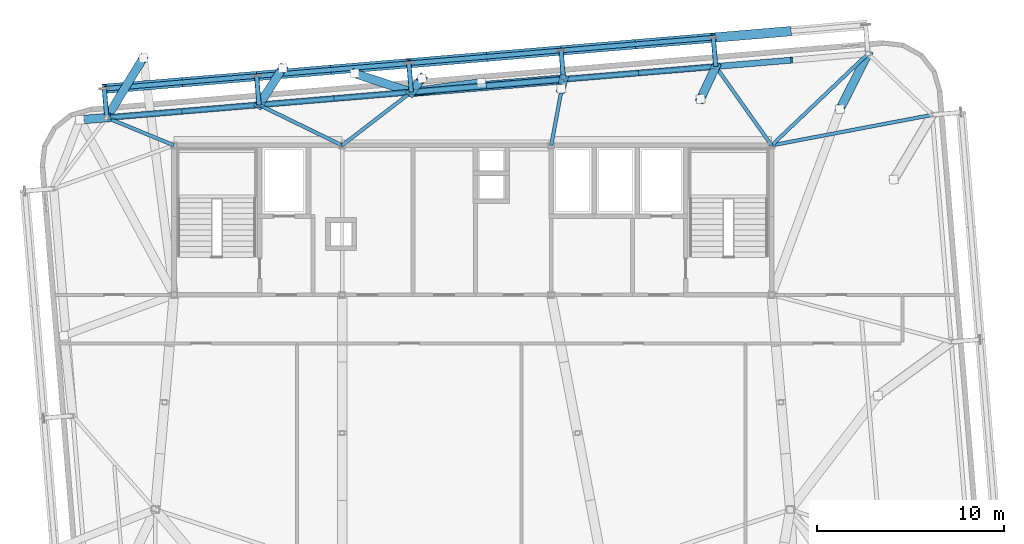
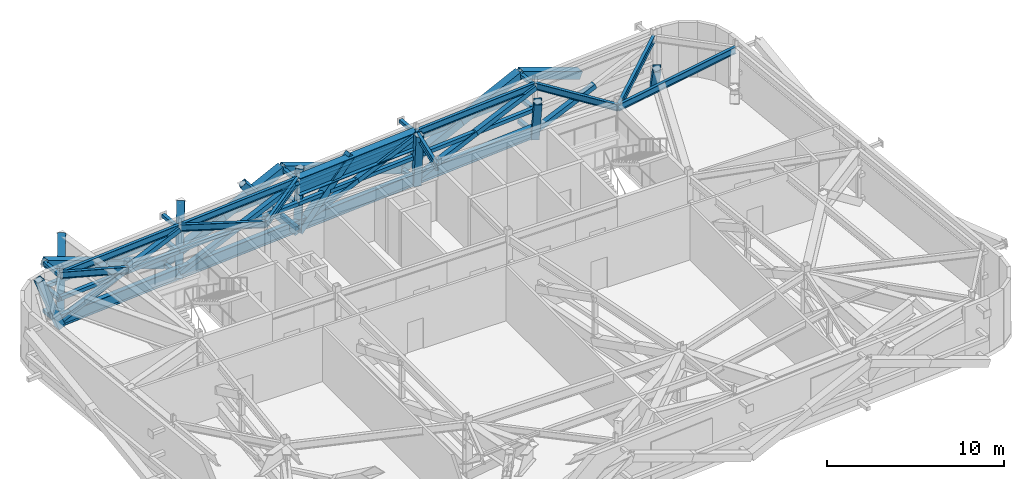
# One storey, part 13 of 26: 54 members, 11 beams.
"""IFC4 building model written with IfcOpenShell, lengths in metres."""

from ifc_helpers import new_model, si_unit, direction, frame, origin, origin_2d, place, context, subcontext, project, spatial, hollow_rectangle, i_section, extrude, source, transform, mapped, material, material_profile, profile_set, type_object, element, save


model = new_model("IFC4")

# Units and contexts
model_context = context("Model", 3, precision=1e-05, world=origin(), true_north=direction((0.0, 1.0)))
body_context = subcontext(model_context, "Body", "Model", "MODEL_VIEW")
ifc_project = project(units=[si_unit("LENGTHUNIT", "METRE"), si_unit("AREAUNIT", "SQUARE_METRE"), si_unit("VOLUMEUNIT", "CUBIC_METRE"), si_unit("PLANEANGLEUNIT", "RADIAN"), si_unit("MASSUNIT", "GRAM", prefix="KILO")], contexts=[model_context])

# Site, building, storey
site_placement = place(None, origin())
site = spatial("IfcSite", under=ifc_project, at=site_placement, CompositionType="ELEMENT")
building_placement = place(site_placement, origin())
building = spatial("IfcBuilding", under=site, at=building_placement, Name="Taldren Reach Tower", CompositionType="ELEMENT")
storey_placement = place(building_placement, frame((0.0, 0.0, 207.199951171875)))
storey = spatial("IfcBuildingStorey", under=building, at=storey_placement, Name="L63", CompositionType="ELEMENT", Elevation=207.199951171875)

# Members
ifc_material_1 = material(Name="Steel Gr 350 (C350L0)", Category="steel")
ifc_material_profile_1 = material_profile(ifc_material_1, hollow_rectangle(XDim=0.25, YDim=0.25, WallThickness=0.010009765625, at=origin_2d()), Name="250x250x10.0SHS")
ifc_profile_set_1 = profile_set([ifc_material_profile_1], Name="Steel Gr 350 (C350L0)")
member_type_1 = type_object("IfcMemberType", Name="MB-POST250", PredefinedType="POST", material=ifc_profile_set_1)
shared_shape_1 = source(origin(), body_context, "Body", "SweptSolid", [
    extrude(hollow_rectangle(XDim=0.25, YDim=0.25, WallThickness=0.010009765625, at=origin_2d()), origin(), (0.0, 0.0, 1.0), 1.5498046875),
])
for number, where, z_axis, x_axis, name in (
    (1, (15.40380859375, 33.483642578125, 0.219970703125), (-0.083645141657, 0.996495604746, 0.0), (-0.996495604746, -0.083645141657, 0.0), "Exoskeleton base diaphragm tie strut B4-N1 L63"),
    (2, (31.706298828125, 34.8525390625, 0.219970703125), (-0.083645141657, 0.996495604746, 0.0), (-0.996495604746, -0.083645141657, 0.0), "Exoskeleton base diaphragm tie strut B4-N3 L63"),
    (3, (39.857666015625, 35.537109375, 0.219970703125), (-0.083645141657, 0.996495604746, 0.0), (-0.996495604746, -0.083645141657, 0.0), "Exoskeleton base diaphragm tie strut B4-N4 L63"),
    (4, (15.40380859375, 33.483642578125, 1.860107421875), (-0.083645141657, 0.996495604746, 0.0), (-0.996495604746, -0.083645141657, 0.0), "Exoskeleton mid-tier diaphragm tie B4-N1 L63"),
    (5, (31.706298828125, 34.8525390625, 1.860107421875), (-0.083645141657, 0.996495604746, 0.0), (-0.996495604746, -0.083645141657, 0.0), "Exoskeleton mid-tier diaphragm tie B4-N3 L63"),
    (6, (39.857666015625, 35.537109375, 1.860107421875), (-0.083645141657, 0.996495604746, 0.0), (-0.996495604746, -0.083645141657, 0.0), "Exoskeleton mid-tier diaphragm tie B4-N4 L63"),
):
    element("IfcMember", number, at=place(storey_placement, frame(where, z_axis=z_axis, x_axis=x_axis)), inside=storey, type_object=member_type_1, Name=name, PredefinedType="POST", context=body_context, shape_type="MappedRepresentation", body=[
        mapped(shared_shape_1, transform((0.0, 0.0, 0.0), scale=1.0)),
    ])
shared_shape_2 = source(origin(), body_context, "Body", "SweptSolid", [
    extrude(hollow_rectangle(XDim=0.25, YDim=0.25, WallThickness=0.010009765625, at=origin_2d()), origin(), (0.0, 0.0, 1.0), 1.550048828125),
])
for number, where, z_axis, x_axis, name in (
    (7, (23.55517578125, 34.16796875, 0.219970703125), (-0.083788408178, 0.996483568683, 0.0), (-0.996483568683, -0.083788408178, 0.0), "Exoskeleton base diaphragm tie strut B4-N2 L63"),
    (8, (48.009033203125, 36.221435546875, 0.219970703125), (-0.083632013783, 0.996496706603, 0.0), (-0.996496706603, -0.083632013783, 0.0), "Exoskeleton base diaphragm tie strut B4-N5 L63"),
    (9, (23.55517578125, 34.16796875, 1.860107421875), (-0.083788408178, 0.996483568683, 0.0), (-0.996483568683, -0.083788408178, 0.0), "Exoskeleton mid-tier diaphragm tie B4-N2 L63"),
    (10, (48.009033203125, 36.221435546875, 1.860107421875), (-0.083632013783, 0.996496706603, 0.0), (-0.996496706603, -0.083632013783, 0.0), "Exoskeleton mid-tier diaphragm tie B4-N5 L63"),
):
    element("IfcMember", number, at=place(storey_placement, frame(where, z_axis=z_axis, x_axis=x_axis)), inside=storey, type_object=member_type_1, Name=name, PredefinedType="POST", context=body_context, shape_type="MappedRepresentation", body=[
        mapped(shared_shape_2, transform((0.0, 0.0, 0.0), scale=1.0)),
    ])

# Beams
ifc_material_2 = material(Name="Steel Gr 350 (350PLUS)", Category="steel")
ifc_material_profile_2 = material_profile(ifc_material_2, i_section(OverallWidth=0.18994140625, OverallDepth=0.4541015625, WebThickness=0.008544921875, FlangeThickness=0.0126953125, at=origin_2d()), Name="460UB67.1")
ifc_profile_set_2 = profile_set([ifc_material_profile_2], Name="Steel Gr 350 (350PLUS)")
beam_type_1 = type_object("IfcBeamType", Name="SP-UB460B", PredefinedType="SPANDREL", material=ifc_profile_set_2)
shared_shape_3 = source(origin(), body_context, "Body", "SweptSolid", [
    extrude(i_section(OverallWidth=0.18994140625, OverallDepth=0.4541015625, WebThickness=0.008544921875, FlangeThickness=0.0126953125, at=origin_2d()), origin(), (0.0, 0.0, 1.0), 8.179931640625),
])
for number, where, z_axis, x_axis, name in (
    (11, (48.009033203125, 36.221435546875, 3.552978515625), (-0.996494523218, -0.083658025296, 0.0), (0.083658025296, -0.996494523218, 0.0), "Perimeter spandrel B4 N5-N4 L63"),
    (12, (31.706298828125, 34.8525390625, 3.552978515625), (-0.99649182565, -0.08369015123, 0.0), (0.08369015123, -0.99649182565, 0.0), "Perimeter spandrel B4 N3-N2 L63"),
    (13, (23.55517578125, 34.16796875, 3.552978515625), (-0.996494523218, -0.083658025296, 0.0), (0.083658025296, -0.996494523218, 0.0), "Perimeter spandrel B4 N2-N1 L63"),
):
    element("IfcBeam", number, at=place(storey_placement, frame(where, z_axis=z_axis, x_axis=x_axis)), inside=storey, type_object=beam_type_1, Name=name, PredefinedType="SPANDREL", context=body_context, shape_type="MappedRepresentation", body=[
        mapped(shared_shape_3, transform((0.0, 0.0, 0.0), scale=1.0)),
    ])
ifc_material_profile_3 = material_profile(ifc_material_2, i_section(OverallWidth=0.19091796875, OverallDepth=0.4599609375, WebThickness=0.010009765625, FlangeThickness=0.01611328125, at=origin_2d()), Name="460UB82.1")
ifc_profile_set_3 = profile_set([ifc_material_profile_3], Name="Steel Gr 350 (350PLUS)")
beam_type_2 = type_object("IfcBeamType", Name="BM-UB460A", PredefinedType="BEAM", material=ifc_profile_set_3)
shared_shape_4 = source(origin(), body_context, "Body", "SweptSolid", [
    extrude(i_section(OverallWidth=0.19091796875, OverallDepth=0.4599609375, WebThickness=0.010009765625, FlangeThickness=0.01611328125, at=origin_2d()), origin(), (0.0, 0.0, 1.0), 8.75),
])
beam_1_placement = place(storey_placement, frame((51.0, 32.0, 3.550048828125), z_axis=(0.982450485799, 0.18652357211, 0.0), x_axis=(-0.18652357211, 0.982450485799, 0.0)))
element("IfcBeam", 14, at=beam_1_placement, inside=storey, type_object=beam_type_2, Name="Primary floor girder B4-E3 L63", PredefinedType="BEAM", context=body_context, shape_type="MappedRepresentation", body=[
    mapped(shared_shape_4, transform((0.0, 0.0, 0.0), scale=1.0)),
])
shared_shape_5 = source(origin(), body_context, "Body", "SweptSolid", [
    extrude(i_section(OverallWidth=0.19091796875, OverallDepth=0.4599609375, WebThickness=0.010009765625, FlangeThickness=0.01611328125, at=origin_2d()), origin(), (0.0, 0.0, 1.0), 7.120361328125),
])
beam_2_placement = place(storey_placement, frame((51.0, 32.0, 3.550048828125), z_axis=(0.724745130454, 0.689017050503, 0.0), x_axis=(-0.689017050503, 0.724745130454, 0.0)))
element("IfcBeam", 15, at=beam_2_placement, inside=storey, type_object=beam_type_2, Name="Primary floor girder B4-N6 L63", PredefinedType="BEAM", context=body_context, shape_type="MappedRepresentation", body=[
    mapped(shared_shape_5, transform((0.0, 0.0, 0.0), scale=1.0)),
])
shared_shape_6 = source(origin(), body_context, "Body", "SweptSolid", [
    extrude(i_section(OverallWidth=0.19091796875, OverallDepth=0.4599609375, WebThickness=0.010009765625, FlangeThickness=0.01611328125, at=origin_2d()), origin(), (0.0, 0.0, 1.0), 5.173583984375),
])
beam_3_placement = place(storey_placement, frame((51.0, 32.0, 3.550048828125), z_axis=(-0.578118152709, 0.8159530633, 0.0), x_axis=(-0.8159530633, -0.578118152709, 0.0)))
element("IfcBeam", 16, at=beam_3_placement, inside=storey, type_object=beam_type_2, Name="Primary floor girder B4-N5 L63", PredefinedType="BEAM", context=body_context, shape_type="MappedRepresentation", body=[
    mapped(shared_shape_6, transform((0.0, 0.0, 0.0), scale=1.0)),
])
shared_shape_7 = source(origin(), body_context, "Body", "SweptSolid", [
    extrude(i_section(OverallWidth=0.19091796875, OverallDepth=0.4599609375, WebThickness=0.010009765625, FlangeThickness=0.01611328125, at=origin_2d()), origin(), (0.0, 0.0, 1.0), 3.59765625),
])
beam_4_placement = place(storey_placement, frame((39.199951171875, 32.0, 3.550048828125), z_axis=(0.182813344882, 0.983147639438, 0.0), x_axis=(-0.983147639438, 0.182813344882, 0.0)))
element("IfcBeam", 17, at=beam_4_placement, inside=storey, type_object=beam_type_2, Name="Primary floor girder B4-N4 L63", PredefinedType="BEAM", context=body_context, shape_type="MappedRepresentation", body=[
    mapped(shared_shape_7, transform((0.0, 0.0, 0.0), scale=1.0)),
])
shared_shape_8 = source(origin(), body_context, "Body", "SweptSolid", [
    extrude(i_section(OverallWidth=0.19091796875, OverallDepth=0.4599609375, WebThickness=0.010009765625, FlangeThickness=0.01611328125, at=origin_2d()), origin(), (0.0, 0.0, 1.0), 4.677001953125),
])
beam_5_placement = place(storey_placement, frame((28.0, 32.0, 3.550048828125), z_axis=(0.792464836093, 0.609917603907, 0.0), x_axis=(-0.609917603907, 0.792464836093, 0.0)))
element("IfcBeam", 18, at=beam_5_placement, inside=storey, type_object=beam_type_2, Name="Primary floor girder B4-N3 L63", PredefinedType="BEAM", context=body_context, shape_type="MappedRepresentation", body=[
    mapped(shared_shape_8, transform((0.0, 0.0, 0.0), scale=1.0)),
])
shared_shape_9 = source(origin(), body_context, "Body", "SweptSolid", [
    extrude(i_section(OverallWidth=0.19091796875, OverallDepth=0.4599609375, WebThickness=0.010009765625, FlangeThickness=0.01611328125, at=origin_2d()), origin(), (0.0, 0.0, 1.0), 4.9453125),
])
beam_6_placement = place(storey_placement, frame((28.0, 32.0, 3.550048828125), z_axis=(-0.898787423235, 0.438384725823, 0.0), x_axis=(-0.438384725823, -0.898787423235, 0.0)))
element("IfcBeam", 19, at=beam_6_placement, inside=storey, type_object=beam_type_2, Name="Primary floor girder B4-N2 L63", PredefinedType="BEAM", context=body_context, shape_type="MappedRepresentation", body=[
    mapped(shared_shape_9, transform((0.0, 0.0, 0.0), scale=1.0)),
])
shared_shape_10 = source(origin(), body_context, "Body", "SweptSolid", [
    extrude(i_section(OverallWidth=0.19091796875, OverallDepth=0.4599609375, WebThickness=0.010009765625, FlangeThickness=0.01611328125, at=origin_2d()), origin(), (0.0, 0.0, 1.0), 3.89013671875),
])
beam_7_placement = place(storey_placement, frame((19.0, 32.0, 3.550048828125), z_axis=(-0.924419242179, 0.381377850287, 0.0), x_axis=(-0.381377850287, -0.924419242179, 0.0)))
element("IfcBeam", 20, at=beam_7_placement, inside=storey, type_object=beam_type_2, Name="Primary floor girder B4-N1 L63", PredefinedType="BEAM", context=body_context, shape_type="MappedRepresentation", body=[
    mapped(shared_shape_10, transform((0.0, 0.0, 0.0), scale=1.0)),
])

# Members
ifc_material_3 = material(Name="Steel Gr 450 (C450L0)", Category="steel")
ifc_material_profile_4 = material_profile(ifc_material_3, hollow_rectangle(XDim=0.219970703125, YDim=0.219970703125, WallThickness=0.00830078125, at=origin_2d()), Name="220x220x8.2SHS")
ifc_profile_set_4 = profile_set([ifc_material_profile_4], Name="Steel Gr 450 (C450L0)")
member_type_2 = type_object("IfcMemberType", Name="MB-TIE219", PredefinedType="STRUT", material=ifc_profile_set_4)
shared_shape_11 = source(origin(), body_context, "Body", "SweptSolid", [
    extrude(hollow_rectangle(XDim=0.219970703125, YDim=0.219970703125, WallThickness=0.00830078125, at=origin_2d()), origin(), (0.0, 0.0, 1.0), 1.5498046875),
])
for number, where, z_axis, x_axis, name in (
    (21, (15.40380859375, 33.483642578125, 3.5), (-0.083645141657, 0.996495604746, 0.0), (-0.996495604746, -0.083645141657, 0.0), "Exoskeleton diaphragm tie strut B4-N1 L63"),
    (22, (31.706298828125, 34.8525390625, 3.5), (-0.083645141657, 0.996495604746, 0.0), (-0.996495604746, -0.083645141657, 0.0), "Exoskeleton diaphragm tie strut B4-N3 L63"),
    (23, (39.857666015625, 35.537109375, 3.5), (-0.083645141657, 0.996495604746, 0.0), (-0.996495604746, -0.083645141657, 0.0), "Exoskeleton diaphragm tie strut B4-N4 L63"),
):
    element("IfcMember", number, at=place(storey_placement, frame(where, z_axis=z_axis, x_axis=x_axis)), inside=storey, type_object=member_type_2, Name=name, PredefinedType="STRUT", context=body_context, shape_type="MappedRepresentation", body=[
        mapped(shared_shape_11, transform((0.0, 0.0, 0.0), scale=1.0)),
    ])
shared_shape_12 = source(origin(), body_context, "Body", "SweptSolid", [
    extrude(hollow_rectangle(XDim=0.219970703125, YDim=0.219970703125, WallThickness=0.00830078125, at=origin_2d()), origin(), (0.0, 0.0, 1.0), 1.550048828125),
])
for number, where, z_axis, x_axis, name in (
    (24, (23.55517578125, 34.16796875, 3.5), (-0.083788408178, 0.996483568683, 0.0), (-0.996483568683, -0.083788408178, 0.0), "Exoskeleton diaphragm tie strut B4-N2 L63"),
    (25, (48.009033203125, 36.221435546875, 3.5), (-0.083632013783, 0.996496706603, 0.0), (-0.996496706603, -0.083632013783, 0.0), "Exoskeleton diaphragm tie strut B4-N5 L63"),
):
    element("IfcMember", number, at=place(storey_placement, frame(where, z_axis=z_axis, x_axis=x_axis)), inside=storey, type_object=member_type_2, Name=name, PredefinedType="STRUT", context=body_context, shape_type="MappedRepresentation", body=[
        mapped(shared_shape_12, transform((0.0, 0.0, 0.0), scale=1.0)),
    ])
shared_shape_13 = source(origin(), body_context, "Body", "SweptSolid", [
    extrude(hollow_rectangle(XDim=0.25, YDim=0.25, WallThickness=0.010009765625, at=origin_2d()), origin(), (0.0, 0.0, 1.0), 8.18017578125),
])
for number, where, z_axis, x_axis, name in (
    (26, (31.706298828125, 34.8525390625, 1.955078125), (0.996492034688, 0.083687662192, 0.0), (-0.083687662192, 0.996492034688, 0.0), "Belt Truss Transfer Mid Chord N3 L63"),
    (27, (31.57666015625, 36.39697265625, 1.860107421875), (0.996492034688, 0.083687662192, 0.0), (-0.083687662192, 0.996492034688, 0.0), "Exoskeleton mid-height ring chord B4-N3 L63"),
    (28, (39.72802734375, 37.08154296875, 1.860107421875), (0.996492034688, 0.083687662192, 0.0), (-0.083687662192, 0.996492034688, 0.0), "Exoskeleton mid-height ring chord B4-N4 L63"),
):
    element("IfcMember", number, at=place(storey_placement, frame(where, z_axis=z_axis, x_axis=x_axis)), inside=storey, type_object=member_type_1, Name=name, PredefinedType="POST", context=body_context, shape_type="MappedRepresentation", body=[
        mapped(shared_shape_13, transform((0.0, 0.0, 0.0), scale=1.0)),
    ])
shared_shape_14 = source(origin(), body_context, "Body", "SweptSolid", [
    extrude(hollow_rectangle(XDim=0.25, YDim=0.25, WallThickness=0.010009765625, at=origin_2d()), origin(), (0.0, 0.0, 1.0), 8.179931640625),
])
for number, where, z_axis, x_axis, name in (
    (29, (15.40380859375, 33.483642578125, 1.955078125), (0.996494523218, 0.083658025296, 0.0), (-0.083658025296, 0.996494523218, 0.0), "Belt Truss Transfer Mid Chord N1 L63"),
    (30, (23.55517578125, 34.16796875, 1.955078125), (0.99649182565, 0.08369015123, 0.0), (-0.08369015123, 0.99649182565, 0.0), "Belt Truss Transfer Mid Chord N2 L63"),
    (31, (39.857666015625, 35.537109375, 1.955078125), (0.996494523218, 0.083658025296, 0.0), (-0.083658025296, 0.996494523218, 0.0), "Belt Truss Transfer Mid Chord N4 L63"),
    (32, (15.274169921875, 35.028076171875, 1.860107421875), (0.99649182565, 0.08369015123, 0.0), (-0.08369015123, 0.99649182565, 0.0), "Exoskeleton mid-height ring chord B4-N1 L63"),
    (33, (23.42529296875, 35.712646484375, 1.860107421875), (0.996494523218, 0.083658025296, 0.0), (-0.083658025296, 0.996494523218, 0.0), "Exoskeleton mid-height ring chord B4-N2 L63"),
):
    element("IfcMember", number, at=place(storey_placement, frame(where, z_axis=z_axis, x_axis=x_axis)), inside=storey, type_object=member_type_1, Name=name, PredefinedType="POST", context=body_context, shape_type="MappedRepresentation", body=[
        mapped(shared_shape_14, transform((0.0, 0.0, 0.0), scale=1.0)),
    ])

# Beam
ifc_material_profile_5 = material_profile(ifc_material_2, i_section(OverallWidth=0.5, OverallDepth=1.199951171875, WebThickness=0.01611328125, FlangeThickness=0.0400390625, at=origin_2d()), Name="1200WB455")
ifc_profile_set_5 = profile_set([ifc_material_profile_5], Name="Steel Gr 350 (350PLUS)")
beam_type_3 = type_object("IfcBeamType", Name="BM-WB1200", PredefinedType="BEAM", material=ifc_profile_set_5)
shared_shape_15 = source(origin(), body_context, "Body", "SweptSolid", [
    extrude(i_section(OverallWidth=0.5, OverallDepth=1.199951171875, WebThickness=0.01611328125, FlangeThickness=0.0400390625, at=origin_2d()), origin(), (0.0, 0.0, 1.0), 8.18017578125),
])
beam_8_placement = place(storey_placement, frame((39.857666015625, 35.537109375, 3.179931640625), z_axis=(-0.996492034688, -0.083687662192, 0.0), x_axis=(0.083687662192, -0.996492034688, 0.0)))
element("IfcBeam", 34, at=beam_8_placement, inside=storey, type_object=beam_type_3, Name="Belt Truss Transfer Girder TG-B5-PJN2A on L63", PredefinedType="SPANDREL", context=body_context, shape_type="MappedRepresentation", body=[
    mapped(shared_shape_15, transform((0.0, 0.0, 0.0), scale=1.0)),
])

# Members
ifc_material_profile_6 = material_profile(ifc_material_3, hollow_rectangle(XDim=0.4599609375, YDim=0.4599609375, WallThickness=0.01611328125, at=origin_2d()), Name="460x460x16.0SHS")
ifc_profile_set_6 = profile_set([ifc_material_profile_6], Name="Steel Gr 450 (C450L0)")
member_type_3 = type_object("IfcMemberType", Name="MB-EXO457", PredefinedType="BRACE", material=ifc_profile_set_6)
shared_shape_16 = source(origin(), body_context, "Body", "SweptSolid", [
    extrude(hollow_rectangle(XDim=0.4599609375, YDim=0.4599609375, WallThickness=0.01611328125, at=origin_2d()), origin(), (0.0, 0.0, 1.0), 5.307861328125),
])
member_1_placement = place(storey_placement, frame((15.40380859375, 33.483642578125, 0.02001953125), z_axis=(0.368517341482, 0.60199138359, 0.708379377954), x_axis=(-0.852882098627, 0.522103558542, 0.0)))
element("IfcMember", 35, at=member_1_placement, inside=storey, type_object=member_type_3, Name="Outrigger Belt Truss Transfer Strut TS-B5-N1 L63", PredefinedType="BRACE", context=body_context, shape_type="MappedRepresentation", body=[
    mapped(shared_shape_16, transform((0.0, 0.0, 0.0), scale=1.0)),
])
shared_shape_17 = source(origin(), body_context, "Body", "SweptSolid", [
    extrude(hollow_rectangle(XDim=0.4599609375, YDim=0.4599609375, WallThickness=0.01611328125, at=origin_2d()), origin(), (0.0, 0.0, 1.0), 4.426025390625),
])
member_2_placement = place(storey_placement, frame((23.55517578125, 34.16796875, 0.02001953125), z_axis=(0.285670590876, 0.443536825881, 0.849510092698), x_axis=(-0.840712769733, 0.541481337451, 0.0)))
element("IfcMember", 36, at=member_2_placement, inside=storey, type_object=member_type_3, Name="Outrigger Belt Truss Transfer Strut TS-B5-N2 L63", PredefinedType="BRACE", context=body_context, shape_type="MappedRepresentation", body=[
    mapped(shared_shape_17, transform((0.0, 0.0, 0.0), scale=1.0)),
])
shared_shape_18 = source(origin(), body_context, "Body", "SweptSolid", [
    extrude(hollow_rectangle(XDim=0.4599609375, YDim=0.4599609375, WallThickness=0.01611328125, at=origin_2d()), origin(), (0.0, 0.0, 1.0), 3.873046875),
])
member_3_placement = place(storey_placement, frame((31.706298828125, 34.8525390625, 0.02001953125), z_axis=(0.148009404203, 0.188667864898, 0.970823183192), x_axis=(-0.786783329106, 0.617229287251, 0.0)))
element("IfcMember", 37, at=member_3_placement, inside=storey, type_object=member_type_3, Name="Outrigger Belt Truss Transfer Strut TS-B5-N3 L63", PredefinedType="BRACE", context=body_context, shape_type="MappedRepresentation", body=[
    mapped(shared_shape_18, transform((0.0, 0.0, 0.0), scale=1.0)),
])
shared_shape_19 = source(origin(), body_context, "Body", "SweptSolid", [
    extrude(hollow_rectangle(XDim=0.4599609375, YDim=0.4599609375, WallThickness=0.01611328125, at=origin_2d()), origin(), (0.0, 0.0, 1.0), 3.795166015625),
])
member_4_placement = place(storey_placement, frame((39.857666015625, 35.537109375, 0.02001953125), z_axis=(-0.031135345221, -0.132196558738, 0.990734404437), x_axis=(0.973367450142, -0.229250533269, 0.0)))
element("IfcMember", 38, at=member_4_placement, inside=storey, type_object=member_type_3, Name="Outrigger Belt Truss Transfer Strut TS-B5-N4 L63", PredefinedType="BRACE", context=body_context, shape_type="MappedRepresentation", body=[
    mapped(shared_shape_19, transform((0.0, 0.0, 0.0), scale=1.0)),
])
shared_shape_20 = source(origin(), body_context, "Body", "SweptSolid", [
    extrude(hollow_rectangle(XDim=0.4599609375, YDim=0.4599609375, WallThickness=0.01611328125, at=origin_2d()), origin(), (0.0, 0.0, 1.0), 4.218994140625),
])
member_5_placement = place(storey_placement, frame((48.009033203125, 36.221435546875, 0.02001953125), z_axis=(-0.191889581702, -0.410977023296, 0.891221787636), x_axis=(0.906098376521, -0.423067053864, 0.0)))
element("IfcMember", 39, at=member_5_placement, inside=storey, type_object=member_type_3, Name="Outrigger Belt Truss Transfer Strut TS-B5-N5 L63", PredefinedType="BRACE", context=body_context, shape_type="MappedRepresentation", body=[
    mapped(shared_shape_20, transform((0.0, 0.0, 0.0), scale=1.0)),
])
shared_shape_21 = source(origin(), body_context, "Body", "SweptSolid", [
    extrude(hollow_rectangle(XDim=0.4599609375, YDim=0.4599609375, WallThickness=0.01611328125, at=origin_2d()), origin(), (0.0, 0.0, 1.0), 5.01904296875),
])
member_6_placement = place(storey_placement, frame((56.160400390625, 36.906005859375, 0.02001953125), z_axis=(-0.299063461003, -0.591024894467, 0.749166617258), x_axis=(0.892272517008, -0.451497237413, 0.0)))
element("IfcMember", 40, at=member_6_placement, inside=storey, type_object=member_type_3, Name="Outrigger Belt Truss Transfer Strut TS-B5-N6 L63", PredefinedType="BRACE", context=body_context, shape_type="MappedRepresentation", body=[
    mapped(shared_shape_21, transform((0.0, 0.0, 0.0), scale=1.0)),
])
shared_shape_22 = source(origin(), body_context, "Body", "SweptSolid", [
    extrude(hollow_rectangle(XDim=0.4599609375, YDim=0.4599609375, WallThickness=0.01611328125, at=origin_2d()), origin(), (0.0, 0.0, 1.0), 4.030029296875),
])
member_7_placement = place(storey_placement, frame((15.40380859375, 33.483642578125, 0.02001953125), z_axis=(-0.358704239646, -0.02841281682, 0.933018745953), x_axis=(0.078962269364, -0.996877605334, 0.0)))
element("IfcMember", 41, at=member_7_placement, inside=storey, type_object=member_type_3, Name="Outrigger Belt Truss Transfer Strut TS-B5-W3 L63", PredefinedType="BRACE", context=body_context, shape_type="MappedRepresentation", body=[
    mapped(shared_shape_22, transform((0.0, 0.0, 0.0), scale=1.0)),
])
shared_shape_23 = source(origin(), body_context, "Body", "SweptSolid", [
    extrude(hollow_rectangle(XDim=0.4599609375, YDim=0.4599609375, WallThickness=0.01611328125, at=origin_2d()), origin(), (0.0, 0.0, 1.0), 4.9287109375),
])
member_8_placement = place(storey_placement, frame((31.706298828125, 34.8525390625, 0.02001953125), z_axis=(-0.614188467799, 0.201905975865, 0.762893506941), x_axis=(-0.312294553739, -0.949985321837, 0.0)))
element("IfcMember", 42, at=member_8_placement, inside=storey, type_object=member_type_3, Name="Outrigger Belt Truss Transfer Strut TS-B5-PJN1 L63", PredefinedType="BRACE", context=body_context, shape_type="MappedRepresentation", body=[
    mapped(shared_shape_23, transform((0.0, 0.0, 0.0), scale=1.0)),
])
shared_shape_24 = source(origin(), body_context, "Body", "SweptSolid", [
    extrude(hollow_rectangle(XDim=0.4599609375, YDim=0.4599609375, WallThickness=0.01611328125, at=origin_2d()), origin(), (0.0, 0.0, 1.0), 5.3369140625),
])
member_9_placement = place(storey_placement, frame((31.706298828125, 34.8525390625, 0.02001953125), z_axis=(0.703529675082, 0.093139112977, 0.704536089859), x_axis=(-0.131243189642, 0.991350203093, 0.0)))
element("IfcMember", 43, at=member_9_placement, inside=storey, type_object=member_type_3, Name="Outrigger Belt Truss Transfer Strut TS-B5-PJN2 L63", PredefinedType="BRACE", context=body_context, shape_type="MappedRepresentation", body=[
    mapped(shared_shape_24, transform((0.0, 0.0, 0.0), scale=1.0)),
])
ifc_material_profile_7 = material_profile(ifc_material_2, i_section(OverallWidth=0.300048828125, OverallDepth=0.81591796875, WebThickness=0.011962890625, FlangeThickness=0.02392578125, at=origin_2d()), Name="800WB192")
ifc_profile_set_7 = profile_set([ifc_material_profile_7], Name="Steel Gr 350 (350PLUS)")
member_type_4 = type_object("IfcMemberType", Name="MB-CH800", PredefinedType="CHORD", material=ifc_profile_set_7)
shared_shape_25 = source(origin(), body_context, "Body", "SweptSolid", [
    extrude(i_section(OverallWidth=0.300048828125, OverallDepth=0.81591796875, WebThickness=0.011962890625, FlangeThickness=0.02392578125, at=origin_2d()), origin(), (0.0, 0.0, 1.0), 8.18017578125),
])
member_10_placement = place(storey_placement, frame((31.706298828125, 34.8525390625, 0.449951171875), z_axis=(0.996492034688, 0.083687662192, 0.0), x_axis=(-0.083687662192, 0.996492034688, 0.0)))
element("IfcMember", 44, at=member_10_placement, inside=storey, type_object=member_type_4, Name="Belt Truss Transfer Bottom Chord N3 L63", PredefinedType="CHORD", context=body_context, shape_type="MappedRepresentation", body=[
    mapped(shared_shape_25, transform((0.0, 0.0, 0.0), scale=1.0)),
])
ifc_material_profile_8 = material_profile(ifc_material_3, hollow_rectangle(XDim=0.324951171875, YDim=0.324951171875, WallThickness=0.0126953125, at=origin_2d()), Name="325x325x12.7SHS")
ifc_profile_set_8 = profile_set([ifc_material_profile_8], Name="Steel Gr 450 (C450L0)")
member_type_5 = type_object("IfcMemberType", Name="MB-BR324", PredefinedType="BRACE", material=ifc_profile_set_8)
shared_shape_26 = source(origin(), body_context, "Body", "SweptSolid", [
    extrude(hollow_rectangle(XDim=0.324951171875, YDim=0.324951171875, WallThickness=0.0126953125, at=origin_2d()), origin(), (0.0, 0.0, 1.0), 4.358154296875),
])
for number, where, z_axis, x_axis, name in (
    (45, (15.40380859375, 33.483642578125, 0.449951171875), (0.935183560046, 0.078482818236, 0.345358011722), (-0.083628388178, 0.996497010879, 0.0), "Belt Truss Transfer Diagonal N1 L63"),
    (46, (19.4794921875, 33.82568359375, 1.955078125), (0.935197538531, 0.078540011323, 0.345307153918), (-0.083687662192, 0.996492034688, 0.0), "Belt Truss Transfer Diagonal N1 L63"),
    (47, (23.55517578125, 34.16796875, 0.449951171875), (0.935179447034, 0.078538491958, 0.34535649281), (-0.083687662192, 0.996492034688, 0.0), "Belt Truss Transfer Diagonal N2 L63"),
    (48, (31.706298828125, 34.8525390625, 0.449951171875), (0.935179447034, 0.078538491958, 0.34535649281), (-0.083687662192, 0.996492034688, 0.0), "Belt Truss Transfer Diagonal N3 L63"),
    (49, (35.781982421875, 35.19482421875, 1.955078125), (0.935197538531, 0.078540011323, 0.345307153918), (-0.083687662192, 0.996492034688, 0.0), "Belt Truss Transfer Diagonal N3 L63"),
    (50, (39.857666015625, 35.537109375, 0.449951171875), (0.935183560046, 0.078482818236, 0.345358011722), (-0.083628388178, 0.996497010879, 0.0), "Belt Truss Transfer Diagonal N4 L63"),
    (51, (43.933349609375, 35.879150390625, 1.955078125), (0.935197538531, 0.078540011323, 0.345307153918), (-0.083687662192, 0.996492034688, 0.0), "Belt Truss Transfer Diagonal N4 L63"),
    (52, (48.009033203125, 36.221435546875, 0.449951171875), (0.935179447034, 0.078538491958, 0.34535649281), (-0.083687662192, 0.996492034688, 0.0), "Belt Truss Transfer Diagonal N5 L63"),
):
    element("IfcMember", number, at=place(storey_placement, frame(where, z_axis=z_axis, x_axis=x_axis)), inside=storey, type_object=member_type_5, Name=name, PredefinedType="BRACE", context=body_context, shape_type="MappedRepresentation", body=[
        mapped(shared_shape_26, transform((0.0, 0.0, 0.0), scale=1.0)),
    ])
shared_shape_27 = source(origin(), body_context, "Body", "SweptSolid", [
    extrude(i_section(OverallWidth=0.300048828125, OverallDepth=0.81591796875, WebThickness=0.011962890625, FlangeThickness=0.02392578125, at=origin_2d()), origin(), (0.0, 0.0, 1.0), 8.179931640625),
])
for number, where, z_axis, x_axis, name in (
    (53, (15.40380859375, 33.483642578125, 0.449951171875), (0.996494523218, 0.083658025296, 0.0), (-0.083658025296, 0.996494523218, 0.0), "Belt Truss Transfer Bottom Chord N1 L63"),
    (54, (23.55517578125, 34.16796875, 0.449951171875), (0.99649182565, 0.08369015123, 0.0), (-0.08369015123, 0.99649182565, 0.0), "Belt Truss Transfer Bottom Chord N2 L63"),
    (55, (39.857666015625, 35.537109375, 0.449951171875), (0.996494523218, 0.083658025296, 0.0), (-0.083658025296, 0.996494523218, 0.0), "Belt Truss Transfer Bottom Chord N4 L63"),
):
    element("IfcMember", number, at=place(storey_placement, frame(where, z_axis=z_axis, x_axis=x_axis)), inside=storey, type_object=member_type_4, Name=name, PredefinedType="CHORD", context=body_context, shape_type="MappedRepresentation", body=[
        mapped(shared_shape_27, transform((0.0, 0.0, 0.0), scale=1.0)),
    ])
shared_shape_28 = source(origin(), body_context, "Body", "SweptSolid", [
    extrude(hollow_rectangle(XDim=0.324951171875, YDim=0.324951171875, WallThickness=0.0126953125, at=origin_2d()), origin(), (0.0, 0.0, 1.0), 4.35791015625),
])
member_11_placement = place(storey_placement, frame((27.630859375, 34.51025390625, 1.955078125), z_axis=(0.935190512762, 0.078544126214, 0.345325245352), x_axis=(-0.083692640416, 0.996491616593, 0.0)))
element("IfcMember", 56, at=member_11_placement, inside=storey, type_object=member_type_5, Name="Belt Truss Transfer Diagonal N2 L63", PredefinedType="BRACE", context=body_context, shape_type="MappedRepresentation", body=[
    mapped(shared_shape_28, transform((0.0, 0.0, 0.0), scale=1.0)),
])
ifc_material_profile_9 = material_profile(ifc_material_3, hollow_rectangle(XDim=0.510009765625, YDim=0.510009765625, WallThickness=0.02001953125, at=origin_2d()), Name="510x510x20.0SHS")
ifc_profile_set_9 = profile_set([ifc_material_profile_9], Name="Steel Gr 450 (C450L0)")
member_type_6 = type_object("IfcMemberType", Name="MB-EXO508", PredefinedType="BRACE", material=ifc_profile_set_9)
shared_shape_29 = source(origin(), body_context, "Body", "SweptSolid", [
    extrude(hollow_rectangle(XDim=0.510009765625, YDim=0.510009765625, WallThickness=0.02001953125, at=origin_2d()), origin(), (0.0, 0.0, 1.0), 4.406494140625),
])
for number, where, z_axis, x_axis, name in (
    (57, (23.42529296875, 35.712646484375, 0.219970703125), (-0.924889672529, -0.077678986455, 0.372216427248), (0.083692640416, -0.996491616593, 0.0), "Exoskeleton Diagrid Brace B4-N1 L63"),
    (58, (19.349853515625, 35.370361328125, 1.860107421875), (-0.924916753786, -0.077676607692, 0.372149624726), (0.083687662192, -0.996492034688, 0.0), "Exoskeleton Diagrid Brace B4-N1 L63"),
    (59, (27.5009765625, 36.054931640625, 1.860107421875), (0.924920732869, 0.077621537483, 0.372151225751), (-0.083628388178, 0.996497010879, 0.0), "Exoskeleton Diagrid Brace B4-N2 L63"),
    (60, (35.65234375, 36.7392578125, 1.860107421875), (-0.924916753786, -0.077676607692, 0.372149624726), (0.083687662192, -0.996492034688, 0.0), "Exoskeleton Diagrid Brace B4-N3 L63"),
    (61, (43.8037109375, 37.423828125, 1.860107421875), (0.924916753786, 0.077676607692, 0.372149624726), (-0.083687662192, 0.996492034688, 0.0), "Exoskeleton Diagrid Brace B4-N4 L63"),
    (62, (51.955078125, 38.1083984375, 1.860107421875), (-0.924916753786, -0.077676607692, 0.372149624726), (0.083687662192, -0.996492034688, 0.0), "Exoskeleton Diagrid Brace B4-N5 L63"),
):
    element("IfcMember", number, at=place(storey_placement, frame(where, z_axis=z_axis, x_axis=x_axis)), inside=storey, type_object=member_type_6, Name=name, PredefinedType="BRACE", context=body_context, shape_type="MappedRepresentation", body=[
        mapped(shared_shape_29, transform((0.0, 0.0, 0.0), scale=1.0)),
    ])
shared_shape_30 = source(origin(), body_context, "Body", "SweptSolid", [
    extrude(hollow_rectangle(XDim=0.510009765625, YDim=0.510009765625, WallThickness=0.02001953125, at=origin_2d()), origin(), (0.0, 0.0, 1.0), 4.40673828125),
])
for number, where, z_axis, x_axis, name in (
    (63, (23.42529296875, 35.712646484375, 0.219970703125), (0.924897682439, 0.077675006037, 0.372197354177), (-0.083687662192, 0.996492034688, 0.0), "Exoskeleton Diagrid Brace B4-N2 L63"),
    (64, (39.72802734375, 37.08154296875, 0.219970703125), (-0.924897682439, -0.077675006037, 0.372197354177), (0.083687662192, -0.996492034688, 0.0), "Exoskeleton Diagrid Brace B4-N3 L63"),
    (65, (39.72802734375, 37.08154296875, 0.219970703125), (0.924897682439, 0.077675006037, 0.372197354177), (-0.083687662192, 0.996492034688, 0.0), "Exoskeleton Diagrid Brace B4-N4 L63"),
):
    element("IfcMember", number, at=place(storey_placement, frame(where, z_axis=z_axis, x_axis=x_axis)), inside=storey, type_object=member_type_6, Name=name, PredefinedType="BRACE", context=body_context, shape_type="MappedRepresentation", body=[
        mapped(shared_shape_30, transform((0.0, 0.0, 0.0), scale=1.0)),
    ])

save(model, "model.ifc")
